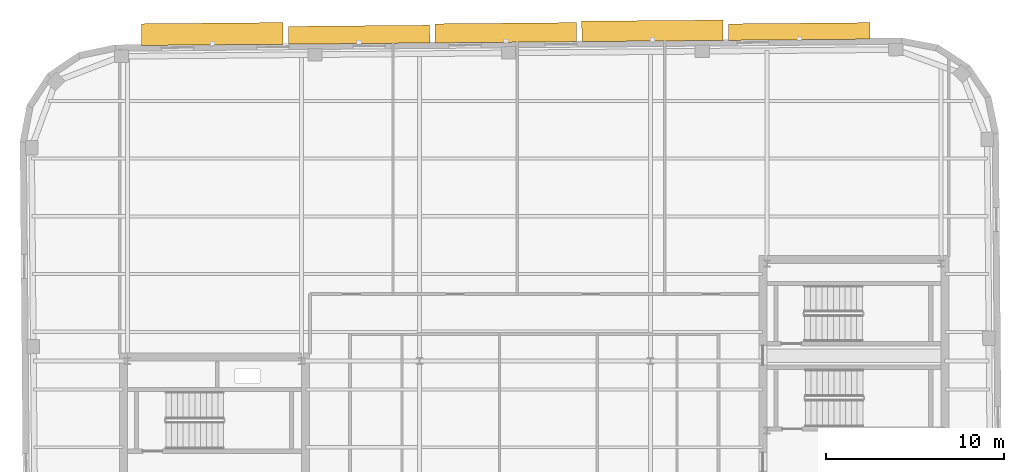
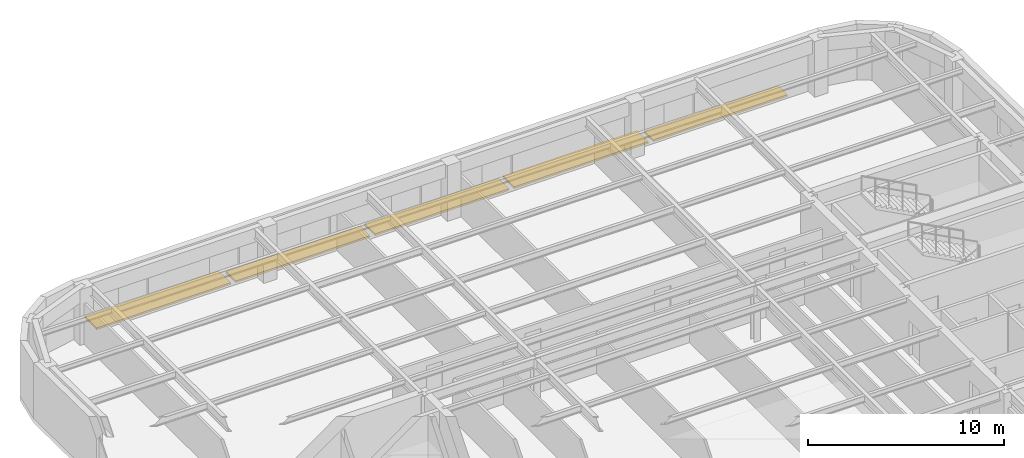
# One storey, part 14 of 14: 5 shading devices.
"""IFC4 building model written with IfcOpenShell, lengths in metres."""

import ifcopenshell
import ifcopenshell.guid

model = None  # the IFC model being written
_history = None  # IfcOwnerHistory: only IFC2X3 demands one
_inside = {}  # id of a spatial element -> (the spatial element, [elements in it])
_under = {}  # id of a project, library or spatial element -> (it, [spatial elements below it])
_declared = {}  # id of a project -> (the project, [libraries it declares])
_typed = {}  # id of a type object -> (the type object, [elements of that type])
_made_of = {}  # id of a material, layer set ... -> (it, [elements and type objects made of it])


def new_model(schema):
    """Start an empty IFC model of exactly this schema.

    Asked for "IFC4X3", IfcOpenShell would pick the latest addendum, in which some entities
    have other attributes; the version numbers below select the first issue.
    IFC2X3 requires an IfcOwnerHistory on every rooted entity: one is made here for all.
    """
    global model, _history
    if schema == "IFC4X3":
        model = ifcopenshell.file(schema_version=(4, 3, 0, 0))
    else:
        model = ifcopenshell.file(schema=schema)
    _inside.clear()
    _under.clear()
    _declared.clear()
    _typed.clear()
    _made_of.clear()
    _history = None
    if model.schema == "IFC2X3":
        org = make("IfcOrganization", Name="unknown")
        user = make(
            "IfcPersonAndOrganization",
            ThePerson=make("IfcPerson", FamilyName="unknown"),
            TheOrganization=org,
        )
        app = make(
            "IfcApplication",
            ApplicationDeveloper=org,
            Version="unknown",
            ApplicationFullName="unknown",
            ApplicationIdentifier="unknown",
        )
        _history = make(
            "IfcOwnerHistory",
            OwningUser=user,
            OwningApplication=app,
            ChangeAction="ADDED",
            CreationDate=0,
        )
    return model


def make(cls, **values):
    """One entity of the class cls with the attributes given. An attribute that is None is left unset."""
    return model.create_entity(
        cls, **{name: value for name, value in values.items() if value is not None}
    )


def rooted(cls, **values):
    """An entity with a GlobalId (a new one), such as an element, a storey or a relation."""
    return make(cls, GlobalId=ifcopenshell.guid.new(), OwnerHistory=_history, **values)


def si_unit(unit_type, name, prefix=None):
    """IfcSIUnit, for example si_unit("LENGTHUNIT", "METRE", prefix="MILLI")."""
    return make("IfcSIUnit", UnitType=unit_type, Prefix=prefix, Name=name)


def assignment(units):
    """IfcUnitAssignment: the units of a project."""
    return None if units is None else make("IfcUnitAssignment", Units=units)


def point(xyz):
    """IfcCartesianPoint."""
    return None if xyz is None else make("IfcCartesianPoint", Coordinates=xyz)


def direction(xyz):
    """IfcDirection."""
    return None if xyz is None else make("IfcDirection", DirectionRatios=xyz)


def frame(location, z_axis=None, x_axis=None):
    """IfcAxis2Placement3D, a coordinate frame: its origin and axes. An axis left out is left unset."""
    return make(
        "IfcAxis2Placement3D",
        Location=point(location),
        Axis=direction(z_axis),
        RefDirection=direction(x_axis),
    )


def frame_2d(location, x_axis=None):
    """IfcAxis2Placement2D, a coordinate frame in the plane: its origin and x axis."""
    return make(
        "IfcAxis2Placement2D", Location=point(location), RefDirection=direction(x_axis)
    )


def origin():
    """The frame at (0, 0, 0) with its axes left unset."""
    return frame((0.0, 0.0, 0.0))


def origin_2d():
    """The frame at (0, 0) in the plane with its x axis left unset."""
    return frame_2d((0.0, 0.0))


def place(relative_to, where):
    """IfcLocalPlacement: puts the frame where relative to a parent placement (None: the world)."""
    return make(
        "IfcLocalPlacement", PlacementRelTo=relative_to, RelativePlacement=where
    )


def context(
    kind, dimensions, precision=None, world=None, true_north=None, identifier=None
):
    """IfcGeometricRepresentationContext, for example the 3D "Model" context."""
    return make(
        "IfcGeometricRepresentationContext",
        ContextIdentifier=identifier,
        ContextType=kind,
        CoordinateSpaceDimension=dimensions,
        Precision=precision,
        WorldCoordinateSystem=world,
        TrueNorth=true_north,
    )


def subcontext(parent, identifier, kind, view, scale=None):
    """IfcGeometricRepresentationSubContext, for example "Body" below "Model"."""
    return make(
        "IfcGeometricRepresentationSubContext",
        ContextIdentifier=identifier,
        ContextType=kind,
        ParentContext=parent,
        TargetScale=scale,
        TargetView=view,
    )


def project(units=None, contexts=None):
    """IfcProject with its units and contexts."""
    return rooted(
        "IfcProject",
        Name="project",
        RepresentationContexts=contexts,
        UnitsInContext=assignment(units),
    )


def spatial(cls, under=None, at=None, **own):
    """A site, building, storey or space (cls), placed at a placement, below another one or the project."""
    s = rooted(cls, ObjectPlacement=at, **own)
    if under is not None:
        _under.setdefault(under.id(), (under, []))[1].append(s)
    return s


def profile(cls, at=None, kind="AREA", **sizes):
    """A parametric profile (cls). Its sizes go by their IFC names, for example OverallWidth=200.0."""
    return make(cls, ProfileType=kind, Position=at, **sizes)


def rectangle(**sizes):
    """IfcRectangleProfileDef."""
    return profile("IfcRectangleProfileDef", **sizes)


def extrude(swept, where, along, depth):
    """IfcExtrudedAreaSolid: the profile swept, set in the frame where, extruded along a direction by depth."""
    return make(
        "IfcExtrudedAreaSolid",
        SweptArea=swept,
        Position=where,
        ExtrudedDirection=direction(along),
        Depth=depth,
    )


def shape(context_of_items, identifier, shape_type, items):
    """IfcShapeRepresentation: the items that make up one representation, for example the "Body"."""
    return make(
        "IfcShapeRepresentation",
        ContextOfItems=context_of_items,
        RepresentationIdentifier=identifier,
        RepresentationType=shape_type,
        Items=items,
    )


def material(Name=None, Category=None):
    """IfcMaterial."""
    return make("IfcMaterial", Name=Name, Category=Category)


def made_of(thing, what):
    """Note that an element or type object is made of a material, layer set ...; save() writes the relation."""
    if what is not None:
        _made_of.setdefault(what.id(), (what, []))[1].append(thing)
    return thing


def type_object(cls, material=None, **own):
    """A type object (cls), such as IfcWallType, which elements share."""
    return made_of(rooted(cls, **own), material)


def element(
    cls,
    number,
    at=None,
    inside=None,
    cuts=None,
    type_object=None,
    material=None,
    context=None,
    identifier="Body",
    shape_type=None,
    held_by="IfcProductDefinitionShape",
    body=None,
    shapes=None,
    **own,
):
    """One element of the class cls, such as IfcWall. Its Tag is "e" and its number.

    at: its placement. inside: the storey or other place that contains it. cuts: it is an
    opening in that element (IfcRelVoidsElement). A single representation is given by context,
    identifier, shape_type and body (its items); several are given by shapes. held_by: the class
    of the entity that holds the representations. save() writes the other relations.
    """
    e = rooted(cls, Tag="e%d" % number, ObjectPlacement=at, **own)
    if body is not None:
        shapes = [shape(context, identifier, shape_type, body)]
    if shapes is not None:
        e.Representation = make(held_by, Representations=shapes)
    if inside is not None:
        _inside.setdefault(inside.id(), (inside, []))[1].append(e)
    if cuts is not None:
        rooted(
            "IfcRelVoidsElement", RelatingBuildingElement=cuts, RelatedOpeningElement=e
        )
    if type_object is not None:
        _typed.setdefault(type_object.id(), (type_object, []))[1].append(e)
    return made_of(e, material)


def aggregate(whole, parts):
    """IfcRelAggregates: a whole, such as a stair, and the parts it consists of."""
    return rooted("IfcRelAggregates", RelatingObject=whole, RelatedObjects=parts)


def save(model, path):
    """Write the relations noted so far, then the file.

    IfcRelAggregates (storeys below a building ...), IfcRelContainedInSpatialStructure (elements
    in a storey), IfcRelDefinesByType, IfcRelAssociatesMaterial and IfcRelDeclares: one each for
    every whole, place, type object, material and project.
    """
    for whole, parts in _under.values():
        aggregate(whole, parts)
    for where, things in _inside.values():
        rooted(
            "IfcRelContainedInSpatialStructure",
            RelatedElements=things,
            RelatingStructure=where,
        )
    for kind, things in _typed.values():
        rooted("IfcRelDefinesByType", RelatedObjects=things, RelatingType=kind)
    for what, things in _made_of.values():
        rooted("IfcRelAssociatesMaterial", RelatedObjects=things, RelatingMaterial=what)
    for by, libraries in _declared.values():
        rooted("IfcRelDeclares", RelatingContext=by, RelatedDefinitions=libraries)
    model.write(path)


model = new_model("IFC4")

# Units and contexts
model_context = context("Model", 3, precision=1e-05, world=origin(), true_north=direction((0.0, 1.0)))
body_context = subcontext(model_context, "Body", "Model", "MODEL_VIEW")
ifc_project = project(units=[si_unit("LENGTHUNIT", "METRE"), si_unit("AREAUNIT", "SQUARE_METRE"), si_unit("VOLUMEUNIT", "CUBIC_METRE"), si_unit("PLANEANGLEUNIT", "RADIAN"), si_unit("MASSUNIT", "GRAM", prefix="KILO")], contexts=[model_context])

# Site, building, storey
site_placement = place(None, origin())
site = spatial("IfcSite", under=ifc_project, at=site_placement, CompositionType="ELEMENT")
building_placement = place(site_placement, origin())
building = spatial("IfcBuilding", under=site, at=building_placement, Name="Kolvaren Arena Tower", CompositionType="ELEMENT")
storey_placement = place(building_placement, frame((0.0, 0.0, 297.39990234375)))
storey = spatial("IfcBuildingStorey", under=building, at=storey_placement, Name="L73", CompositionType="ELEMENT", Elevation=297.39990234375)

# Shading devices
ifc_material = material(Name="Architectural precast GFRC and anodised aluminium sunshade", Category="concrete")
shading_device_type = type_object("IfcShadingDeviceType", Name="SHAD-SINE-A", PredefinedType="USERDEFINED", material=ifc_material)
shading_device_1_placement = place(storey_placement, frame((19.3291015625, 52.2646484375, -0.139892578125), z_axis=(0.0, 0.0, 1.0), x_axis=(0.999961923064, 0.008726535498, 0.0)))
element("IfcShadingDevice", 1, at=shading_device_1_placement, inside=storey, type_object=shading_device_type, Name="Sinusoidal Slab-Edge Sunshade Louvre (L73)", ObjectType="LOUVRE", PredefinedType="USERDEFINED", context=body_context, shape_type="SweptSolid", body=[
    extrude(rectangle(XDim=7.9599609375, YDim=1.221923828125, at=origin_2d()), origin(), (0.0, 0.0, 1.0), 0.1201171875),
])
shading_device_2_placement = place(storey_placement, frame((27.589599609375, 52.226318359375, -0.139892578125), z_axis=(0.0, 0.0, 1.0), x_axis=(0.999961923064, 0.008726535498, 0.0)))
element("IfcShadingDevice", 2, at=shading_device_2_placement, inside=storey, type_object=shading_device_type, Name="Sinusoidal Slab-Edge Sunshade Louvre (L73)", ObjectType="LOUVRE", PredefinedType="USERDEFINED", context=body_context, shape_type="SweptSolid", body=[
    extrude(rectangle(XDim=7.9599609375, YDim=1.001220703125, at=origin_2d()), origin(), (0.0, 0.0, 1.0), 0.1201171875),
])
shading_device_3_placement = place(storey_placement, frame((35.84912109375, 52.335205078125, -0.139892578125), z_axis=(0.0, 0.0, 1.0), x_axis=(0.999961923064, 0.008726535498, 0.0)))
element("IfcShadingDevice", 3, at=shading_device_3_placement, inside=storey, type_object=shading_device_type, Name="Sinusoidal Slab-Edge Sunshade Louvre (L73)", ObjectType="LOUVRE", PredefinedType="USERDEFINED", context=body_context, shape_type="SweptSolid", body=[
    extrude(rectangle(XDim=7.9599609375, YDim=1.074951171875, at=origin_2d()), origin(), (0.0, 0.0, 1.0), 0.1201171875),
])
shading_device_4_placement = place(storey_placement, frame((44.1083984375, 52.4443359375, -0.139892578125), z_axis=(0.0, 0.0, 1.0), x_axis=(0.999961923064, 0.008726535498, 0.0)))
element("IfcShadingDevice", 4, at=shading_device_4_placement, inside=storey, type_object=shading_device_type, Name="Sinusoidal Slab-Edge Sunshade Louvre (L73)", ObjectType="LOUVRE", PredefinedType="USERDEFINED", context=body_context, shape_type="SweptSolid", body=[
    extrude(rectangle(XDim=7.9599609375, YDim=1.14892578125, at=origin_2d()), origin(), (0.0, 0.0, 1.0), 0.1201171875),
])
shading_device_5_placement = place(storey_placement, frame((52.368896484375, 52.406005859375, -0.139892578125), z_axis=(0.0, 0.0, 1.0), x_axis=(0.999961923064, 0.008726535498, 0.0)))
element("IfcShadingDevice", 5, at=shading_device_5_placement, inside=storey, type_object=shading_device_type, Name="Sinusoidal Slab-Edge Sunshade Louvre (L73)", ObjectType="LOUVRE", PredefinedType="USERDEFINED", context=body_context, shape_type="SweptSolid", body=[
    extrude(rectangle(XDim=7.9599609375, YDim=0.927978515625, at=origin_2d()), origin(), (0.0, 0.0, 1.0), 0.1201171875),
])

save(model, "model.ifc")
